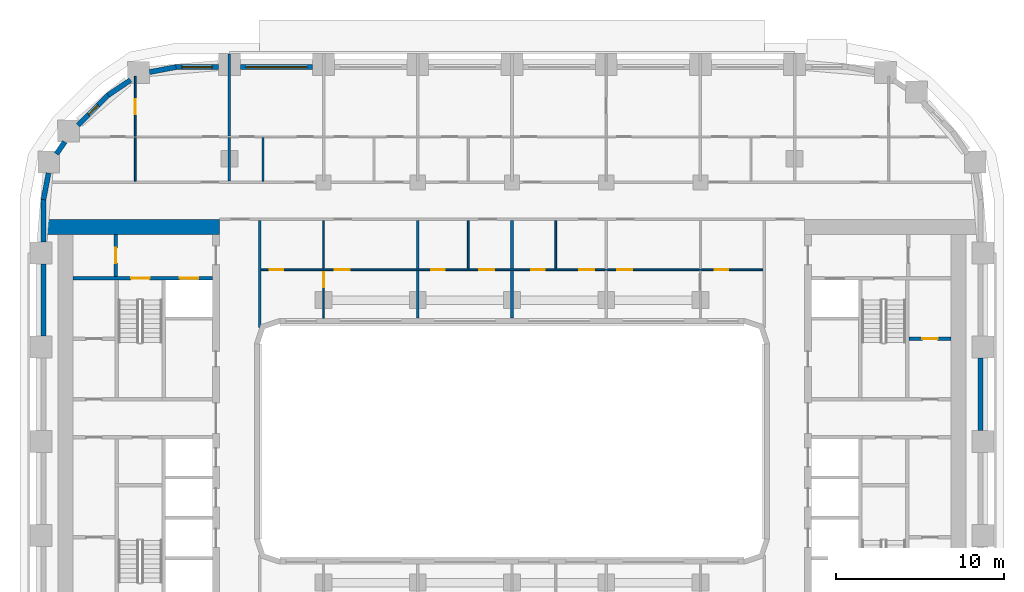
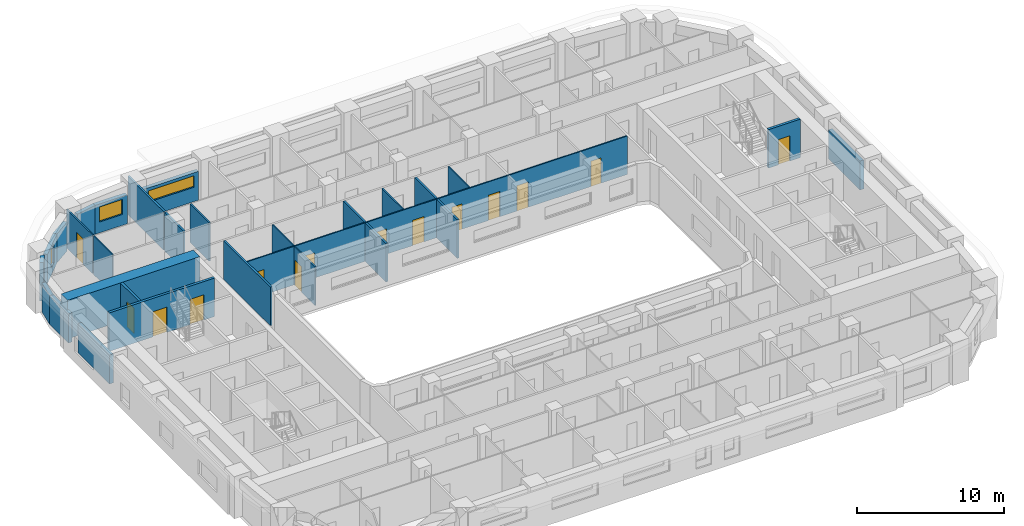
# One storey, part 7 of 21: 29 walls, 14 doors, 3 windows, 17 openings.
"""IFC4 building model written with IfcOpenShell, lengths in metres."""

from ifc_helpers import new_model, si_unit, direction, frame, frame_2d, origin, place, context, subcontext, project, spatial, rectangle, extrude, material, layer, layer_set, type_object, element, fill, save


model = new_model("IFC4")

# Units and contexts
model_context = context("Model", 3, precision=1e-05, world=origin(), true_north=direction((0.0, 1.0)))
body_context = subcontext(model_context, "Body", "Model", "MODEL_VIEW")
ifc_project = project(units=[si_unit("LENGTHUNIT", "METRE"), si_unit("AREAUNIT", "SQUARE_METRE"), si_unit("VOLUMEUNIT", "CUBIC_METRE"), si_unit("PLANEANGLEUNIT", "RADIAN"), si_unit("MASSUNIT", "GRAM", prefix="KILO")], contexts=[model_context])

# Site, building, storey
site_placement = place(None, origin())
site = spatial("IfcSite", under=ifc_project, at=site_placement, CompositionType="ELEMENT")
building_placement = place(site_placement, origin())
building = spatial("IfcBuilding", under=site, at=building_placement, Name="Kiln Ring Residences", CompositionType="ELEMENT")
storey_placement = place(building_placement, frame((0.0, 0.0, 100.800048828125)))
storey = spatial("IfcBuildingStorey", under=building, at=storey_placement, Name="L25", CompositionType="ELEMENT", Elevation=100.800048828125)

# Wall, opening, door
ifc_material_1 = material(Name="Gypsum board on steel studs", Category="steel")
ifc_layer_1 = layer(ifc_material_1, 0.199951171875)
ifc_layer_set_1 = layer_set([ifc_layer_1], Name="CORE-PARTITION-200")
wall_type_1 = type_object("IfcWallType", Name="CORE-PARTITION-200", PredefinedType="PARTITIONING", material=ifc_layer_set_1)
wall_1_placement = place(storey_placement, frame((-23.550048828125, 9.800048828125, 0.0), z_axis=(0.0, 0.0, 1.0), x_axis=(0.0, 1.0, 0.0)))
wall_1 = element("IfcWall", 1, at=wall_1_placement, inside=storey, type_object=wall_type_1, Name="Core partition west L25 3", PredefinedType="PARTITIONING", context=body_context, shape_type="SweptSolid", body=[
    extrude(rectangle(XDim=2.5, YDim=0.199951171875, at=frame_2d((1.25, 0.0))), origin(), (0.0, 0.0, 1.0), 3.199951171875),
])
opening_1_placement = place(wall_1_placement, frame((0.800048828125, 0.0, 0.0)))
opening_1 = element("IfcOpeningElement", 2, at=opening_1_placement, cuts=wall_1, Name="Opening L25-CW09", PredefinedType="OPENING", context=body_context, shape_type="SweptSolid", body=[
    extrude(rectangle(XDim=0.89990234375, YDim=2.10009765625, at=frame_2d((0.449951171875, 1.050048828125))), frame((0.0, 0.10986328125, 0.0), z_axis=(0.0, -1.0, 0.0), x_axis=(1.0, 0.0, 0.0)), (0.0, 0.0, 1.0), 0.219970703125),
])
ifc_material_2 = material(Name="Steel door leaf", Category="steel")
door_type_1 = type_object("IfcDoorType", Name="CORE-DOOR-ROOM", OperationType="SINGLE_SWING_LEFT", PredefinedType="DOOR", material=ifc_material_2)
door_1_placement = place(opening_1_placement, origin())
door_1 = element("IfcDoor", 3, at=door_1_placement, inside=storey, type_object=door_type_1, Name="Fire riser room L25-CW09", OperationType="SINGLE_SWING_LEFT", OverallHeight=2.10009765625, OverallWidth=0.89990234375, PredefinedType="DOOR", context=body_context, shape_type="SweptSolid", body=[
    extrude(rectangle(XDim=0.89990234375, YDim=2.10009765625, at=frame_2d((0.449951171875, 1.050048828125))), frame((0.0, 0.02490234375, 0.0), z_axis=(0.0, -1.0, 0.0), x_axis=(1.0, 0.0, 0.0)), (0.0, 0.0, 1.0), 0.050048828125),
])
fill(opening_1, door_1)

wall_2_placement = place(storey_placement, frame((23.60009765625, 6.10009765625, 0.0), z_axis=(0.0, 0.0, 1.0), x_axis=(1.0, 0.0, 0.0)))
wall_2 = element("IfcWall", 4, at=wall_2_placement, inside=storey, type_object=wall_type_1, Name="Core partition east L25 6", PredefinedType="PARTITIONING", context=body_context, shape_type="SweptSolid", body=[
    extrude(rectangle(XDim=2.5, YDim=0.199951171875, at=frame_2d((1.25, 0.0))), origin(), (0.0, 0.0, 1.0), 3.199951171875),
])
opening_2_placement = place(wall_2_placement, frame((0.800048828125, 0.0, 0.0)))
opening_2 = element("IfcOpeningElement", 5, at=opening_2_placement, cuts=wall_2, Name="Opening L25-CE17", PredefinedType="OPENING", context=body_context, shape_type="SweptSolid", body=[
    extrude(rectangle(XDim=0.89990234375, YDim=2.10009765625, at=frame_2d((0.449951171875, 1.050048828125))), frame((0.0, 0.10986328125, 0.0), z_axis=(0.0, -1.0, 0.0), x_axis=(1.0, 0.0, 0.0)), (0.0, 0.0, 1.0), 0.219970703125),
])
door_2_placement = place(opening_2_placement, origin())
door_2 = element("IfcDoor", 6, at=door_2_placement, inside=storey, type_object=door_type_1, Name="Electrical plant room L25-CE17", OperationType="SINGLE_SWING_LEFT", OverallHeight=2.10009765625, OverallWidth=0.89990234375, PredefinedType="DOOR", context=body_context, shape_type="SweptSolid", body=[
    extrude(rectangle(XDim=0.89990234375, YDim=2.10009765625, at=frame_2d((0.449951171875, 1.050048828125))), frame((0.0, 0.02490234375, 0.0), z_axis=(0.0, -1.0, 0.0), x_axis=(1.0, 0.0, 0.0)), (0.0, 0.0, 1.0), 0.050048828125),
])
fill(opening_2, door_2)

# Wall, openings, doors
ifc_material_3 = material(Name="Concrete C40/50", Category="concrete")
ifc_layer_2 = layer(ifc_material_3, 0.199951171875)
ifc_layer_set_2 = layer_set([ifc_layer_2], Name="CORE-WALL-RC200")
wall_type_2 = type_object("IfcWallType", Name="CORE-WALL-RC200", PredefinedType="SHEAR", material=ifc_layer_set_2)
wall_3_placement = place(storey_placement, frame((-17.800048828125, 9.699951171875, 0.0), z_axis=(0.0, 0.0, 1.0), x_axis=(-1.0, 0.0, 0.0)))
wall_3 = element("IfcWall", 7, at=wall_3_placement, inside=storey, type_object=wall_type_2, Name="Core wall west L25 9", PredefinedType="SHEAR", context=body_context, shape_type="SweptSolid", body=[
    extrude(rectangle(XDim=8.300048828125, YDim=0.199951171875, at=frame_2d((4.14990234375, 0.0))), origin(), (0.0, 0.0, 1.0), 3.199951171875),
])
opening_3_placement = place(wall_3_placement, frame((0.85009765625, 0.0, 0.0)))
opening_3 = element("IfcOpeningElement", 8, at=opening_3_placement, cuts=wall_3, Name="Opening L25-CW06", PredefinedType="OPENING", context=body_context, shape_type="SweptSolid", body=[
    extrude(rectangle(XDim=1.10009765625, YDim=2.10009765625, at=frame_2d((0.550048828125, 1.050048828125))), frame((0.0, 0.10986328125, 0.0), z_axis=(0.0, -1.0, 0.0), x_axis=(1.0, 0.0, 0.0)), (0.0, 0.0, 1.0), 0.219970703125),
])
opening_4_placement = place(wall_3_placement, frame((3.75, 0.0, 0.0)))
opening_4 = element("IfcOpeningElement", 9, at=opening_4_placement, cuts=wall_3, Name="Opening L25-CW11", PredefinedType="OPENING", context=body_context, shape_type="SweptSolid", body=[
    extrude(rectangle(XDim=1.10009765625, YDim=2.10009765625, at=frame_2d((0.550048828125, 1.050048828125))), frame((0.0, 0.10986328125, 0.0), z_axis=(0.0, -1.0, 0.0), x_axis=(1.0, 0.0, 0.0)), (0.0, 0.0, 1.0), 0.219970703125),
])
ifc_material_4 = material(Name="Steel door leaf", Category="steel")
door_type_2 = type_object("IfcDoorType", Name="CORE-DOOR-LD", OperationType="DOUBLE_DOOR_SLIDING", PredefinedType="DOOR", material=ifc_material_4)
door_3_placement = place(opening_3_placement, origin())
door_3 = element("IfcDoor", 10, at=door_3_placement, inside=storey, type_object=door_type_2, Name="LD W-FF L25-CW06", OperationType="DOUBLE_DOOR_SLIDING", OverallHeight=2.10009765625, OverallWidth=1.10009765625, PredefinedType="DOOR", context=body_context, shape_type="SweptSolid", body=[
    extrude(rectangle(XDim=1.10009765625, YDim=2.10009765625, at=frame_2d((0.550048828125, 1.050048828125))), frame((0.0, 0.02490234375, 0.0), z_axis=(0.0, -1.0, 0.0), x_axis=(1.0, 0.0, 0.0)), (0.0, 0.0, 1.0), 0.050048828125),
])
fill(opening_3, door_3)
ifc_material_5 = material(Name="Steel door leaf", Category="steel")
door_type_3 = type_object("IfcDoorType", Name="CORE-DOOR-STAIR", OperationType="SINGLE_SWING_LEFT", PredefinedType="DOOR", material=ifc_material_5)
door_4_placement = place(opening_4_placement, origin())
door_4 = element("IfcDoor", 11, at=door_4_placement, inside=storey, type_object=door_type_3, Name="Stair W-STN L25-CW11", OperationType="SINGLE_SWING_LEFT", OverallHeight=2.10009765625, OverallWidth=1.10009765625, PredefinedType="DOOR", context=body_context, shape_type="SweptSolid", body=[
    extrude(rectangle(XDim=1.10009765625, YDim=2.10009765625, at=frame_2d((0.550048828125, 1.050048828125))), frame((0.0, 0.02490234375, 0.0), z_axis=(0.0, -1.0, 0.0), x_axis=(1.0, 0.0, 0.0)), (0.0, 0.0, 1.0), 0.050048828125),
])
fill(opening_4, door_4)

# Walls
ifc_material_6 = material(Name="Concrete C60/75", Category="concrete")
ifc_layer_3 = layer(ifc_material_6, 0.89990234375)
ifc_layer_set_3 = layer_set([ifc_layer_3], Name="CORE-WALL-RC900")
wall_type_3 = type_object("IfcWallType", Name="CORE-WALL-RC900", PredefinedType="SHEAR", material=ifc_layer_set_3)
wall_4_placement = place(storey_placement, frame((-17.39990234375, 12.75, 0.0), z_axis=(0.0, 0.0, 1.0), x_axis=(-1.0, 0.0, 0.0)))
element("IfcWall", 12, at=wall_4_placement, inside=storey, type_object=wall_type_3, Name="Core wall west L25 4", PredefinedType="SHEAR", context=body_context, shape_type="SweptSolid", body=[
    extrude(rectangle(XDim=10.400146484375, YDim=0.89990234375, at=frame_2d((5.2001953125, 0.0))), origin(), (0.0, 0.0, 1.0), 3.199951171875),
])
ifc_material_7 = material(Name="Brick masonry, dark clay brick", Category="masonry")
ifc_layer_4 = layer(ifc_material_7, 0.300048828125)
ifc_layer_set_4 = layer_set([ifc_layer_4], Name="EW-300 BRICK WALL")
wall_type_4 = type_object("IfcWallType", Name="EW-300 BRICK WALL", PredefinedType="SOLIDWALL", material=ifc_layer_set_4)
wall_5_placement = place(storey_placement, frame((27.85009765625, 0.64990234375, 0.0), z_axis=(0.0, 0.0, 1.0), x_axis=(0.0, 1.0, 0.0)))
element("IfcWall", 13, at=wall_5_placement, inside=storey, type_object=wall_type_4, Name="Facade wall L25 20", PredefinedType="SOLIDWALL", context=body_context, shape_type="SweptSolid", body=[
    extrude(rectangle(XDim=4.300048828125, YDim=0.300048828125, at=frame_2d((2.14990234375, 0.0))), origin(), (0.0, 0.0, 1.0), 2.39990234375),
])

# Wall, opening, window
wall_6_placement = place(storey_placement, frame((-11.85009765625, 22.25, 0.0), z_axis=(0.0, 0.0, 1.0), x_axis=(-1.0, 0.0, 0.0)))
wall_6 = element("IfcWall", 14, at=wall_6_placement, inside=storey, type_object=wall_type_4, Name="Facade wall L25 34", PredefinedType="SOLIDWALL", context=body_context, shape_type="SweptSolid", body=[
    extrude(rectangle(XDim=4.2998046875, YDim=0.300048828125, at=frame_2d((2.14990234375, 0.0))), origin(), (0.0, 0.0, 1.0), 2.39990234375),
])
opening_5_placement = place(wall_6_placement, frame((0.35009765625, 0.0, 1.199951171875)))
opening_5 = element("IfcOpeningElement", 15, at=opening_5_placement, cuts=wall_6, Name="Opening W4", PredefinedType="OPENING", context=body_context, shape_type="SweptSolid", body=[
    extrude(rectangle(XDim=3.60009765625, YDim=0.949951171875, at=frame_2d((1.800048828125, 0.47509765625))), frame((0.0, 0.159912109375, 0.0), z_axis=(0.0, -1.0, 0.0), x_axis=(1.0, 0.0, 0.0)), (0.0, 0.0, 1.0), 0.320068359375),
])
ifc_material_8 = material(Name="Aluminium frame with double glazing", Category="aluminium")
window_type_1 = type_object("IfcWindowType", Name="WINDOW 3600 x 950", PartitioningType="SINGLE_PANEL", PredefinedType="WINDOW", material=ifc_material_8)
window_1_placement = place(opening_5_placement, origin())
window_1 = element("IfcWindow", 16, at=window_1_placement, inside=storey, type_object=window_type_1, Name="Window L25 19", OverallHeight=0.949951171875, OverallWidth=3.60009765625, PartitioningType="SINGLE_PANEL", PredefinedType="WINDOW", context=body_context, shape_type="SweptSolid", body=[
    extrude(rectangle(XDim=3.60009765625, YDim=0.949951171875, at=frame_2d((1.800048828125, 0.47509765625))), frame((0.0, 0.030029296875, 0.0), z_axis=(0.0, -1.0, 0.0), x_axis=(1.0, 0.0, 0.0)), (0.0, 0.0, 1.0), 0.06005859375),
])
fill(opening_5, window_1)

wall_7_placement = place(storey_placement, frame((-17.449951171875, 22.25, 0.0), z_axis=(0.0, 0.0, 1.0), x_axis=(-1.0, 0.0, 0.0)))
wall_7 = element("IfcWall", 17, at=wall_7_placement, inside=storey, type_object=wall_type_4, Name="Facade wall L25 35", PredefinedType="SOLIDWALL", context=body_context, shape_type="SweptSolid", body=[
    extrude(rectangle(XDim=2.550048828125, YDim=0.300048828125, at=frame_2d((1.27490234375, 0.0))), origin(), (0.0, 0.0, 1.0), 2.39990234375),
])
opening_6_placement = place(wall_7_placement, frame((0.375, 0.0, 0.89990234375)))
opening_6 = element("IfcOpeningElement", 18, at=opening_6_placement, cuts=wall_7, Name="Opening W2", PredefinedType="OPENING", context=body_context, shape_type="SweptSolid", body=[
    extrude(rectangle(XDim=1.800048828125, YDim=1.25, at=frame_2d((0.89990234375, 0.625))), frame((0.0, 0.159912109375, 0.0), z_axis=(0.0, -1.0, 0.0), x_axis=(1.0, 0.0, 0.0)), (0.0, 0.0, 1.0), 0.320068359375),
])
ifc_material_9 = material(Name="Aluminium frame with double glazing", Category="aluminium")
window_type_2 = type_object("IfcWindowType", Name="WINDOW 1800 x 1250", PartitioningType="SINGLE_PANEL", PredefinedType="WINDOW", material=ifc_material_9)
window_2_placement = place(opening_6_placement, origin())
window_2 = element("IfcWindow", 19, at=window_2_placement, inside=storey, type_object=window_type_2, Name="Window L25 20", OverallHeight=1.25, OverallWidth=1.800048828125, PartitioningType="SINGLE_PANEL", PredefinedType="WINDOW", context=body_context, shape_type="SweptSolid", body=[
    extrude(rectangle(XDim=1.800048828125, YDim=1.25, at=frame_2d((0.89990234375, 0.625))), frame((0.0, 0.030029296875, 0.0), z_axis=(0.0, -1.0, 0.0), x_axis=(1.0, 0.0, 0.0)), (0.0, 0.0, 1.0), 0.06005859375),
])
fill(opening_6, window_2)

# Walls
for number, where, z_axis, x_axis, name in (
    (20, (-19.971923828125, 22.252685546875, 0.0), (0.0, 0.0, 1.0), (-0.982278644094, -0.187426426519, 0.0), "Facade wall L25 36"),
    (21, (-22.684326171875, 21.481689453125, 0.0), (0.0, 0.0, 1.0), (-0.82705935865, -0.562114594429, 0.0), "Facade wall L25 37"),
):
    element("IfcWall", number, at=place(storey_placement, frame(where, z_axis=z_axis, x_axis=x_axis)), inside=storey, type_object=wall_type_4, Name=name, PredefinedType="SOLIDWALL", context=body_context, shape_type="SweptSolid", body=[
        extrude(rectangle(XDim=1.606201171875, YDim=0.300048828125, at=frame_2d((0.80322265625, 0.0))), origin(), (0.0, 0.0, 1.0), 2.39990234375),
    ])

# Wall, opening, window
wall_8_placement = place(storey_placement, frame((-23.990966796875, 20.596923828125, 0.0), z_axis=(0.0, 0.0, 1.0), x_axis=(-0.707106781187, -0.707106781187, 0.0)))
wall_8 = element("IfcWall", 22, at=wall_8_placement, inside=storey, type_object=wall_type_4, Name="Facade wall L25 38", PredefinedType="SOLIDWALL", context=body_context, shape_type="SweptSolid", body=[
    extrude(rectangle(XDim=2.550048828125, YDim=0.300048828125, at=frame_2d((1.27490234375, 0.0))), origin(), (0.0, 0.0, 1.0), 2.39990234375),
])
opening_7_placement = place(wall_8_placement, frame((0.875, 0.0, 0.60009765625)))
opening_7 = element("IfcOpeningElement", 23, at=opening_7_placement, cuts=wall_8, Name="Opening W5", PredefinedType="OPENING", context=body_context, shape_type="SweptSolid", body=[
    extrude(rectangle(XDim=0.800048828125, YDim=1.550048828125, at=frame_2d((0.39990234375, 0.77490234375))), frame((0.0, 0.159912109375, 0.0), z_axis=(0.0, -1.0, 0.0), x_axis=(1.0, 0.0, 0.0)), (0.0, 0.0, 1.0), 0.320068359375),
])
ifc_material_10 = material(Name="Aluminium frame with double glazing", Category="aluminium")
window_type_3 = type_object("IfcWindowType", Name="WINDOW 800 x 1550", PartitioningType="SINGLE_PANEL", PredefinedType="WINDOW", material=ifc_material_10)
window_3_placement = place(opening_7_placement, origin())
window_3 = element("IfcWindow", 24, at=window_3_placement, inside=storey, type_object=window_type_3, Name="Window L25 21", OverallHeight=1.550048828125, OverallWidth=0.800048828125, PartitioningType="SINGLE_PANEL", PredefinedType="WINDOW", context=body_context, shape_type="SweptSolid", body=[
    extrude(rectangle(XDim=0.800048828125, YDim=1.550048828125, at=frame_2d((0.39990234375, 0.77490234375))), frame((0.0, 0.030029296875, 0.0), z_axis=(0.0, -1.0, 0.0), x_axis=(1.0, 0.0, 0.0)), (0.0, 0.0, 1.0), 0.06005859375),
])
fill(opening_7, window_3)

# Walls
wall_9_placement = place(storey_placement, frame((-26.588623046875, 17.809814453125, 0.0), z_axis=(0.0, 0.0, 1.0), x_axis=(-0.562066330934, -0.827092159091, 0.0)))
element("IfcWall", 25, at=wall_9_placement, inside=storey, type_object=wall_type_4, Name="Facade wall L25 39", PredefinedType="SOLIDWALL", context=body_context, shape_type="SweptSolid", body=[
    extrude(rectangle(XDim=0.876953125, YDim=0.300048828125, at=frame_2d((0.4384765625, 0.0))), origin(), (0.0, 0.0, 1.0), 3.199951171875),
])
wall_10_placement = place(storey_placement, frame((-27.5517578125, 15.949462890625, 0.0), z_axis=(0.0, 0.0, 1.0), x_axis=(-0.187279751651, -0.982306619453, 0.0)))
element("IfcWall", 26, at=wall_10_placement, inside=storey, type_object=wall_type_4, Name="Facade wall L25 40", PredefinedType="SOLIDWALL", context=body_context, shape_type="SweptSolid", body=[
    extrude(rectangle(XDim=1.60595703125, YDim=0.300048828125, at=frame_2d((0.802978515625, 0.0))), origin(), (0.0, 0.0, 1.0), 2.39990234375),
])
wall_11_placement = place(storey_placement, frame((-27.85009765625, 14.39990234375, 0.0), z_axis=(0.0, 0.0, 1.0), x_axis=(0.0, -1.0, 0.0)))
element("IfcWall", 27, at=wall_11_placement, inside=storey, type_object=wall_type_4, Name="Facade wall L25 41", PredefinedType="SOLIDWALL", context=body_context, shape_type="SweptSolid", body=[
    extrude(rectangle(XDim=2.5498046875, YDim=0.300048828125, at=frame_2d((1.27490234375, 0.0))), origin(), (0.0, 0.0, 1.0), 2.39990234375),
])
wall_12_placement = place(storey_placement, frame((-27.85009765625, 10.550048828125, 0.0), z_axis=(0.0, 0.0, 1.0), x_axis=(0.0, -1.0, 0.0)))
element("IfcWall", 28, at=wall_12_placement, inside=storey, type_object=wall_type_4, Name="Facade wall L25 42", PredefinedType="SOLIDWALL", context=body_context, shape_type="SweptSolid", body=[
    extrude(rectangle(XDim=4.300048828125, YDim=0.300048828125, at=frame_2d((2.14990234375, 0.0))), origin(), (0.0, 0.0, 1.0), 2.39990234375),
])

# Wall, openings, doors
ifc_material_11 = material(Name="Gypsum board on steel studs", Category="steel")
ifc_layer_5 = layer(ifc_material_11, 0.10009765625)
ifc_layer_set_5 = layer_set([ifc_layer_5], Name="PARTITION-100")
wall_type_5 = type_object("IfcWallType", Name="PARTITION-100", PredefinedType="PARTITIONING", material=ifc_layer_set_5)
wall_13_placement = place(storey_placement, frame((-14.925048828125, 10.199951171875, 0.0), z_axis=(0.0, 0.0, 1.0), x_axis=(1.0, 0.0, 0.0)))
wall_13 = element("IfcWall", 29, at=wall_13_placement, inside=storey, type_object=wall_type_5, Name="Partition 004", PredefinedType="PARTITIONING", context=body_context, shape_type="SweptSolid", body=[
    extrude(rectangle(XDim=29.85009765625, YDim=0.10009765625, at=frame_2d((14.925048828125, 0.0))), origin(), (0.0, 0.0, 1.0), 3.199951171875),
])
opening_8_placement = place(wall_13_placement, frame((0.52490234375, 0.0, 0.0)))
opening_8 = element("IfcOpeningElement", 30, at=opening_8_placement, cuts=wall_13, Name="Opening L25-D006", PredefinedType="OPENING", context=body_context, shape_type="SweptSolid", body=[
    extrude(rectangle(XDim=0.800048828125, YDim=2.10009765625, at=frame_2d((0.39990234375, 1.050048828125))), frame((0.0, 0.06005859375, 0.0), z_axis=(0.0, -1.0, 0.0), x_axis=(1.0, 0.0, 0.0)), (0.0, 0.0, 1.0), 0.1201171875),
])
opening_9_placement = place(wall_13_placement, frame((4.375, 0.0, 0.0)))
opening_9 = element("IfcOpeningElement", 31, at=opening_9_placement, cuts=wall_13, Name="Opening L25-D007", PredefinedType="OPENING", context=body_context, shape_type="SweptSolid", body=[
    extrude(rectangle(XDim=0.89990234375, YDim=2.10009765625, at=frame_2d((0.449951171875, 1.050048828125))), frame((0.0, 0.06005859375, 0.0), z_axis=(0.0, -1.0, 0.0), x_axis=(1.0, 0.0, 0.0)), (0.0, 0.0, 1.0), 0.1201171875),
])
opening_10_placement = place(wall_13_placement, frame((10.125, 0.0, 0.0)))
opening_10 = element("IfcOpeningElement", 32, at=opening_10_placement, cuts=wall_13, Name="Opening L25-D010", PredefinedType="OPENING", context=body_context, shape_type="SweptSolid", body=[
    extrude(rectangle(XDim=0.800048828125, YDim=2.10009765625, at=frame_2d((0.39990234375, 1.050048828125))), frame((0.0, 0.06005859375, 0.0), z_axis=(0.0, -1.0, 0.0), x_axis=(1.0, 0.0, 0.0)), (0.0, 0.0, 1.0), 0.1201171875),
])
opening_11_placement = place(wall_13_placement, frame((12.97509765625, 0.0, 0.0)))
opening_11 = element("IfcOpeningElement", 33, at=opening_11_placement, cuts=wall_13, Name="Opening L25-D011", PredefinedType="OPENING", context=body_context, shape_type="SweptSolid", body=[
    extrude(rectangle(XDim=0.89990234375, YDim=2.10009765625, at=frame_2d((0.449951171875, 1.050048828125))), frame((0.0, 0.06005859375, 0.0), z_axis=(0.0, -1.0, 0.0), x_axis=(1.0, 0.0, 0.0)), (0.0, 0.0, 1.0), 0.1201171875),
])
opening_12_placement = place(wall_13_placement, frame((16.074951171875, 0.0, 0.0)))
opening_12 = element("IfcOpeningElement", 34, at=opening_12_placement, cuts=wall_13, Name="Opening L25-D013", PredefinedType="OPENING", context=body_context, shape_type="SweptSolid", body=[
    extrude(rectangle(XDim=0.800048828125, YDim=2.10009765625, at=frame_2d((0.39990234375, 1.050048828125))), frame((0.0, 0.06005859375, 0.0), z_axis=(0.0, -1.0, 0.0), x_axis=(1.0, 0.0, 0.0)), (0.0, 0.0, 1.0), 0.1201171875),
])
opening_13_placement = place(wall_13_placement, frame((18.925048828125, 0.0, 0.0)))
opening_13 = element("IfcOpeningElement", 35, at=opening_13_placement, cuts=wall_13, Name="Opening L25-D014", PredefinedType="OPENING", context=body_context, shape_type="SweptSolid", body=[
    extrude(rectangle(XDim=0.89990234375, YDim=2.10009765625, at=frame_2d((0.449951171875, 1.050048828125))), frame((0.0, 0.06005859375, 0.0), z_axis=(0.0, -1.0, 0.0), x_axis=(1.0, 0.0, 0.0)), (0.0, 0.0, 1.0), 0.1201171875),
])
opening_14_placement = place(wall_13_placement, frame((26.97509765625, 0.0, 0.0)))
opening_14 = element("IfcOpeningElement", 36, at=opening_14_placement, cuts=wall_13, Name="Opening L25-D016", PredefinedType="OPENING", context=body_context, shape_type="SweptSolid", body=[
    extrude(rectangle(XDim=0.800048828125, YDim=2.10009765625, at=frame_2d((0.39990234375, 1.050048828125))), frame((0.0, 0.06005859375, 0.0), z_axis=(0.0, -1.0, 0.0), x_axis=(1.0, 0.0, 0.0)), (0.0, 0.0, 1.0), 0.1201171875),
])
opening_15_placement = place(wall_13_placement, frame((21.175048828125, 0.0, 0.0)))
opening_15 = element("IfcOpeningElement", 37, at=opening_15_placement, cuts=wall_13, Name="Opening L25-D017", PredefinedType="OPENING", context=body_context, shape_type="SweptSolid", body=[
    extrude(rectangle(XDim=0.89990234375, YDim=2.10009765625, at=frame_2d((0.449951171875, 1.050048828125))), frame((0.0, 0.06005859375, 0.0), z_axis=(0.0, -1.0, 0.0), x_axis=(1.0, 0.0, 0.0)), (0.0, 0.0, 1.0), 0.1201171875),
])
ifc_material_12 = material(Name="Timber door leaf", Category="wood")
door_type_4 = type_object("IfcDoorType", Name="FLAT-DOOR-800-PL", OperationType="SINGLE_SWING_LEFT", PredefinedType="DOOR", material=ifc_material_12)
door_5_placement = place(opening_8_placement, origin())
door_5 = element("IfcDoor", 38, at=door_5_placement, inside=storey, type_object=door_type_4, Name="Door L25-D006", OperationType="SINGLE_SWING_RIGHT", OverallHeight=2.10009765625, OverallWidth=0.800048828125, PredefinedType="DOOR", context=body_context, shape_type="SweptSolid", body=[
    extrude(rectangle(XDim=0.800048828125, YDim=2.10009765625, at=frame_2d((0.39990234375, 1.050048828125))), frame((0.0, 0.02490234375, 0.0), z_axis=(0.0, -1.0, 0.0), x_axis=(1.0, 0.0, 0.0)), (0.0, 0.0, 1.0), 0.050048828125),
])
fill(opening_8, door_5)
door_6_placement = place(opening_10_placement, origin())
door_6 = element("IfcDoor", 39, at=door_6_placement, inside=storey, type_object=door_type_4, Name="Door L25-D010", OperationType="SINGLE_SWING_RIGHT", OverallHeight=2.10009765625, OverallWidth=0.800048828125, PredefinedType="DOOR", context=body_context, shape_type="SweptSolid", body=[
    extrude(rectangle(XDim=0.800048828125, YDim=2.10009765625, at=frame_2d((0.39990234375, 1.050048828125))), frame((0.0, 0.02490234375, 0.0), z_axis=(0.0, -1.0, 0.0), x_axis=(1.0, 0.0, 0.0)), (0.0, 0.0, 1.0), 0.050048828125),
])
fill(opening_10, door_6)
door_7_placement = place(opening_12_placement, origin())
door_7 = element("IfcDoor", 40, at=door_7_placement, inside=storey, type_object=door_type_4, Name="Door L25-D013", OperationType="SINGLE_SWING_LEFT", OverallHeight=2.10009765625, OverallWidth=0.800048828125, PredefinedType="DOOR", context=body_context, shape_type="SweptSolid", body=[
    extrude(rectangle(XDim=0.800048828125, YDim=2.10009765625, at=frame_2d((0.39990234375, 1.050048828125))), frame((0.0, 0.02490234375, 0.0), z_axis=(0.0, -1.0, 0.0), x_axis=(1.0, 0.0, 0.0)), (0.0, 0.0, 1.0), 0.050048828125),
])
fill(opening_12, door_7)
door_8_placement = place(opening_14_placement, origin())
door_8 = element("IfcDoor", 41, at=door_8_placement, inside=storey, type_object=door_type_4, Name="Door L25-D016", OperationType="SINGLE_SWING_RIGHT", OverallHeight=2.10009765625, OverallWidth=0.800048828125, PredefinedType="DOOR", context=body_context, shape_type="SweptSolid", body=[
    extrude(rectangle(XDim=0.800048828125, YDim=2.10009765625, at=frame_2d((0.39990234375, 1.050048828125))), frame((0.0, 0.02490234375, 0.0), z_axis=(0.0, -1.0, 0.0), x_axis=(1.0, 0.0, 0.0)), (0.0, 0.0, 1.0), 0.050048828125),
])
fill(opening_14, door_8)
ifc_material_13 = material(Name="Timber door leaf", Category="wood")
door_type_5 = type_object("IfcDoorType", Name="FLAT-DOOR-900-PL", OperationType="SINGLE_SWING_LEFT", PredefinedType="DOOR", material=ifc_material_13)
door_9_placement = place(opening_9_placement, origin())
door_9 = element("IfcDoor", 42, at=door_9_placement, inside=storey, type_object=door_type_5, Name="Door L25-D007", OperationType="SINGLE_SWING_LEFT", OverallHeight=2.10009765625, OverallWidth=0.89990234375, PredefinedType="DOOR", context=body_context, shape_type="SweptSolid", body=[
    extrude(rectangle(XDim=0.89990234375, YDim=2.10009765625, at=frame_2d((0.449951171875, 1.050048828125))), frame((0.0, 0.02490234375, 0.0), z_axis=(0.0, -1.0, 0.0), x_axis=(1.0, 0.0, 0.0)), (0.0, 0.0, 1.0), 0.050048828125),
])
fill(opening_9, door_9)
door_10_placement = place(opening_11_placement, origin())
door_10 = element("IfcDoor", 43, at=door_10_placement, inside=storey, type_object=door_type_5, Name="Door L25-D011", OperationType="SINGLE_SWING_LEFT", OverallHeight=2.10009765625, OverallWidth=0.89990234375, PredefinedType="DOOR", context=body_context, shape_type="SweptSolid", body=[
    extrude(rectangle(XDim=0.89990234375, YDim=2.10009765625, at=frame_2d((0.449951171875, 1.050048828125))), frame((0.0, 0.02490234375, 0.0), z_axis=(0.0, -1.0, 0.0), x_axis=(1.0, 0.0, 0.0)), (0.0, 0.0, 1.0), 0.050048828125),
])
fill(opening_11, door_10)
door_11_placement = place(opening_13_placement, origin())
door_11 = element("IfcDoor", 44, at=door_11_placement, inside=storey, type_object=door_type_5, Name="Door L25-D014", OperationType="SINGLE_SWING_RIGHT", OverallHeight=2.10009765625, OverallWidth=0.89990234375, PredefinedType="DOOR", context=body_context, shape_type="SweptSolid", body=[
    extrude(rectangle(XDim=0.89990234375, YDim=2.10009765625, at=frame_2d((0.449951171875, 1.050048828125))), frame((0.0, 0.02490234375, 0.0), z_axis=(0.0, -1.0, 0.0), x_axis=(1.0, 0.0, 0.0)), (0.0, 0.0, 1.0), 0.050048828125),
])
fill(opening_13, door_11)
door_12_placement = place(opening_15_placement, origin())
door_12 = element("IfcDoor", 45, at=door_12_placement, inside=storey, type_object=door_type_5, Name="Door L25-D017", OperationType="SINGLE_SWING_LEFT", OverallHeight=2.10009765625, OverallWidth=0.89990234375, PredefinedType="DOOR", context=body_context, shape_type="SweptSolid", body=[
    extrude(rectangle(XDim=0.89990234375, YDim=2.10009765625, at=frame_2d((0.449951171875, 1.050048828125))), frame((0.0, 0.02490234375, 0.0), z_axis=(0.0, -1.0, 0.0), x_axis=(1.0, 0.0, 0.0)), (0.0, 0.0, 1.0), 0.050048828125),
])
fill(opening_15, door_12)

# Wall
wall_14_placement = place(storey_placement, frame((-22.39990234375, 15.47509765625, 0.0), z_axis=(0.0, 0.0, 1.0), x_axis=(0.0, 1.0, 0.0)))
element("IfcWall", 46, at=wall_14_placement, inside=storey, type_object=wall_type_5, Name="Partition 010", PredefinedType="PARTITIONING", context=body_context, shape_type="SweptSolid", body=[
    extrude(rectangle(XDim=2.574951171875, YDim=0.10009765625, at=frame_2d((1.28759765625, 0.0))), origin(), (0.0, 0.0, 1.0), 3.199951171875),
])

# Wall, opening, door
wall_15_placement = place(storey_placement, frame((-22.39990234375, 18.14990234375, 0.0), z_axis=(0.0, 0.0, 1.0), x_axis=(0.0, 1.0, 0.0)))
wall_15 = element("IfcWall", 47, at=wall_15_placement, inside=storey, type_object=wall_type_5, Name="Partition 011", PredefinedType="PARTITIONING", context=body_context, shape_type="SweptSolid", body=[
    extrude(rectangle(XDim=3.570068359375, YDim=0.10009765625, at=frame_2d((1.78515625, 0.0))), origin(), (0.0, 0.0, 1.0), 3.199951171875),
])
opening_16_placement = place(wall_15_placement, frame((1.298095703125, 0.0, 0.0)))
opening_16 = element("IfcOpeningElement", 48, at=opening_16_placement, cuts=wall_15, Name="Opening L25-D022", PredefinedType="OPENING", context=body_context, shape_type="SweptSolid", body=[
    extrude(rectangle(XDim=0.89990234375, YDim=2.10009765625, at=frame_2d((0.449951171875, 1.050048828125))), frame((0.0, 0.06005859375, 0.0), z_axis=(0.0, -1.0, 0.0), x_axis=(1.0, 0.0, 0.0)), (0.0, 0.0, 1.0), 0.1201171875),
])
door_13_placement = place(opening_16_placement, origin())
door_13 = element("IfcDoor", 49, at=door_13_placement, inside=storey, type_object=door_type_5, Name="Door L25-D022", OperationType="SINGLE_SWING_RIGHT", OverallHeight=2.10009765625, OverallWidth=0.89990234375, PredefinedType="DOOR", context=body_context, shape_type="SweptSolid", body=[
    extrude(rectangle(XDim=0.89990234375, YDim=2.10009765625, at=frame_2d((0.449951171875, 1.050048828125))), frame((0.0, 0.02490234375, 0.0), z_axis=(0.0, -1.0, 0.0), x_axis=(1.0, 0.0, 0.0)), (0.0, 0.0, 1.0), 0.050048828125),
])
fill(opening_16, door_13)

# Wall
wall_16_placement = place(storey_placement, frame((-14.800048828125, 15.47509765625, 0.0), z_axis=(0.0, 0.0, 1.0), x_axis=(0.0, 1.0, 0.0)))
element("IfcWall", 50, at=wall_16_placement, inside=storey, type_object=wall_type_5, Name="Partition 018", PredefinedType="PARTITIONING", context=body_context, shape_type="SweptSolid", body=[
    extrude(rectangle(XDim=2.574951171875, YDim=0.10009765625, at=frame_2d((1.28759765625, 0.0))), origin(), (0.0, 0.0, 1.0), 3.199951171875),
])

# Wall, opening, door
wall_17_placement = place(storey_placement, frame((-11.199951171875, 7.320068359375, 0.0), z_axis=(0.0, 0.0, 1.0), x_axis=(0.0, 1.0, 0.0)))
wall_17 = element("IfcWall", 51, at=wall_17_placement, inside=storey, type_object=wall_type_5, Name="Partition 023", PredefinedType="PARTITIONING", context=body_context, shape_type="SweptSolid", body=[
    extrude(rectangle(XDim=2.829833984375, YDim=0.10009765625, at=frame_2d((1.4150390625, 0.0))), origin(), (0.0, 0.0, 1.0), 3.199951171875),
])
opening_17_placement = place(wall_17_placement, frame((1.830078125, 0.0, 0.0)))
opening_17 = element("IfcOpeningElement", 52, at=opening_17_placement, cuts=wall_17, Name="Opening L25-D008", PredefinedType="OPENING", context=body_context, shape_type="SweptSolid", body=[
    extrude(rectangle(XDim=0.89990234375, YDim=2.10009765625, at=frame_2d((0.449951171875, 1.050048828125))), frame((0.0, 0.06005859375, 0.0), z_axis=(0.0, -1.0, 0.0), x_axis=(1.0, 0.0, 0.0)), (0.0, 0.0, 1.0), 0.1201171875),
])
door_14_placement = place(opening_17_placement, origin())
door_14 = element("IfcDoor", 53, at=door_14_placement, inside=storey, type_object=door_type_5, Name="Door L25-D008", OperationType="SINGLE_SWING_LEFT", OverallHeight=2.10009765625, OverallWidth=0.89990234375, PredefinedType="DOOR", context=body_context, shape_type="SweptSolid", body=[
    extrude(rectangle(XDim=0.89990234375, YDim=2.10009765625, at=frame_2d((0.449951171875, 1.050048828125))), frame((0.0, 0.02490234375, 0.0), z_axis=(0.0, -1.0, 0.0), x_axis=(1.0, 0.0, 0.0)), (0.0, 0.0, 1.0), 0.050048828125),
])
fill(opening_17, door_14)

# Walls
for number, where, z_axis, x_axis, name in (
    (54, (-11.199951171875, 10.25, 0.0), (0.0, 0.0, 1.0), (0.0, 1.0, 0.0), "Partition 024"),
    (55, (-2.60009765625, 10.25, 0.0), (0.0, 0.0, 1.0), (0.0, 1.0, 0.0), "Partition 037"),
    (56, (2.60009765625, 10.25, 0.0), (0.0, 0.0, 1.0), (0.0, 1.0, 0.0), "Partition 049"),
):
    element("IfcWall", number, at=place(storey_placement, frame(where, z_axis=z_axis, x_axis=x_axis)), inside=storey, type_object=wall_type_5, Name=name, PredefinedType="PARTITIONING", context=body_context, shape_type="SweptSolid", body=[
        extrude(rectangle(XDim=2.875, YDim=0.10009765625, at=frame_2d((1.4375, 0.0))), origin(), (0.0, 0.0, 1.0), 3.199951171875),
    ])
ifc_material_14 = material(Name="Brick masonry partition", Category="masonry")
ifc_layer_6 = layer(ifc_material_14, 0.14990234375)
ifc_layer_set_6 = layer_set([ifc_layer_6], Name="PARTITION-150-ei60")
wall_type_6 = type_object("IfcWallType", Name="PARTITION-150-ei60", PredefinedType="PARTITIONING", material=ifc_layer_set_6)
wall_18_placement = place(storey_placement, frame((-16.800048828125, 15.47509765625, 0.0), z_axis=(0.0, 0.0, 1.0), x_axis=(0.0, 1.0, 0.0)))
element("IfcWall", 57, at=wall_18_placement, inside=storey, type_object=wall_type_6, Name="Partition 014", PredefinedType="PARTITIONING", context=body_context, shape_type="SweptSolid", body=[
    extrude(rectangle(XDim=2.574951171875, YDim=0.14990234375, at=frame_2d((1.28759765625, 0.0))), origin(), (0.0, 0.0, 1.0), 3.199951171875),
])
wall_19_placement = place(storey_placement, frame((-16.800048828125, 18.14990234375, 0.0), z_axis=(0.0, 0.0, 1.0), x_axis=(0.0, 1.0, 0.0)))
element("IfcWall", 58, at=wall_19_placement, inside=storey, type_object=wall_type_6, Name="Partition 015", PredefinedType="PARTITIONING", context=body_context, shape_type="SweptSolid", body=[
    extrude(rectangle(XDim=4.880126953125, YDim=0.14990234375, at=frame_2d((2.43994140625, 0.0))), origin(), (0.0, 0.0, 1.0), 3.199951171875),
])
wall_20_placement = place(storey_placement, frame((-15.0, 6.768798828125, 0.0), z_axis=(0.0, 0.0, 1.0), x_axis=(0.0, 1.0, 0.0)))
element("IfcWall", 59, at=wall_20_placement, inside=storey, type_object=wall_type_6, Name="Partition 017", PredefinedType="PARTITIONING", context=body_context, shape_type="SweptSolid", body=[
    extrude(rectangle(XDim=6.356201171875, YDim=0.14990234375, at=frame_2d((3.17822265625, 0.0))), origin(), (0.0, 0.0, 1.0), 3.199951171875),
])
wall_21_placement = place(storey_placement, frame((-5.60009765625, 7.320068359375, 0.0), z_axis=(0.0, 0.0, 1.0), x_axis=(0.0, 1.0, 0.0)))
element("IfcWall", 60, at=wall_21_placement, inside=storey, type_object=wall_type_6, Name="Partition 032", PredefinedType="PARTITIONING", context=body_context, shape_type="SweptSolid", body=[
    extrude(rectangle(XDim=2.829833984375, YDim=0.14990234375, at=frame_2d((1.4150390625, 0.0))), origin(), (0.0, 0.0, 1.0), 3.199951171875),
])
wall_22_placement = place(storey_placement, frame((-5.60009765625, 10.25, 0.0), z_axis=(0.0, 0.0, 1.0), x_axis=(0.0, 1.0, 0.0)))
element("IfcWall", 61, at=wall_22_placement, inside=storey, type_object=wall_type_6, Name="Partition 033", PredefinedType="PARTITIONING", context=body_context, shape_type="SweptSolid", body=[
    extrude(rectangle(XDim=2.875, YDim=0.14990234375, at=frame_2d((1.4375, 0.0))), origin(), (0.0, 0.0, 1.0), 3.199951171875),
])
wall_23_placement = place(storey_placement, frame((0.0, 7.320068359375, 0.0), z_axis=(0.0, 0.0, 1.0), x_axis=(0.0, 1.0, 0.0)))
element("IfcWall", 62, at=wall_23_placement, inside=storey, type_object=wall_type_6, Name="Partition 044", PredefinedType="PARTITIONING", context=body_context, shape_type="SweptSolid", body=[
    extrude(rectangle(XDim=2.829833984375, YDim=0.14990234375, at=frame_2d((1.4150390625, 0.0))), origin(), (0.0, 0.0, 1.0), 3.199951171875),
])
wall_24_placement = place(storey_placement, frame((0.0, 10.25, 0.0), z_axis=(0.0, 0.0, 1.0), x_axis=(0.0, 1.0, 0.0)))
element("IfcWall", 63, at=wall_24_placement, inside=storey, type_object=wall_type_6, Name="Partition 045", PredefinedType="PARTITIONING", context=body_context, shape_type="SweptSolid", body=[
    extrude(rectangle(XDim=2.875, YDim=0.14990234375, at=frame_2d((1.4375, 0.0))), origin(), (0.0, 0.0, 1.0), 3.199951171875),
])

save(model, "model.ifc")
